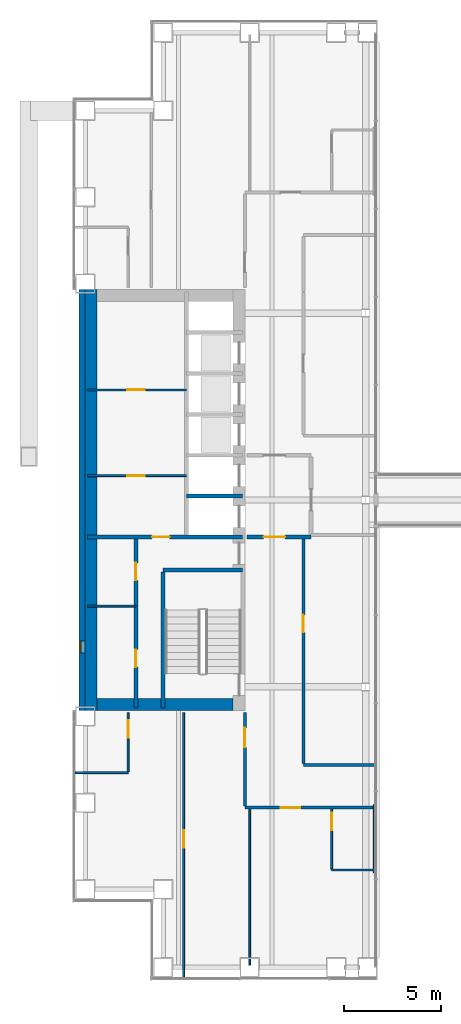
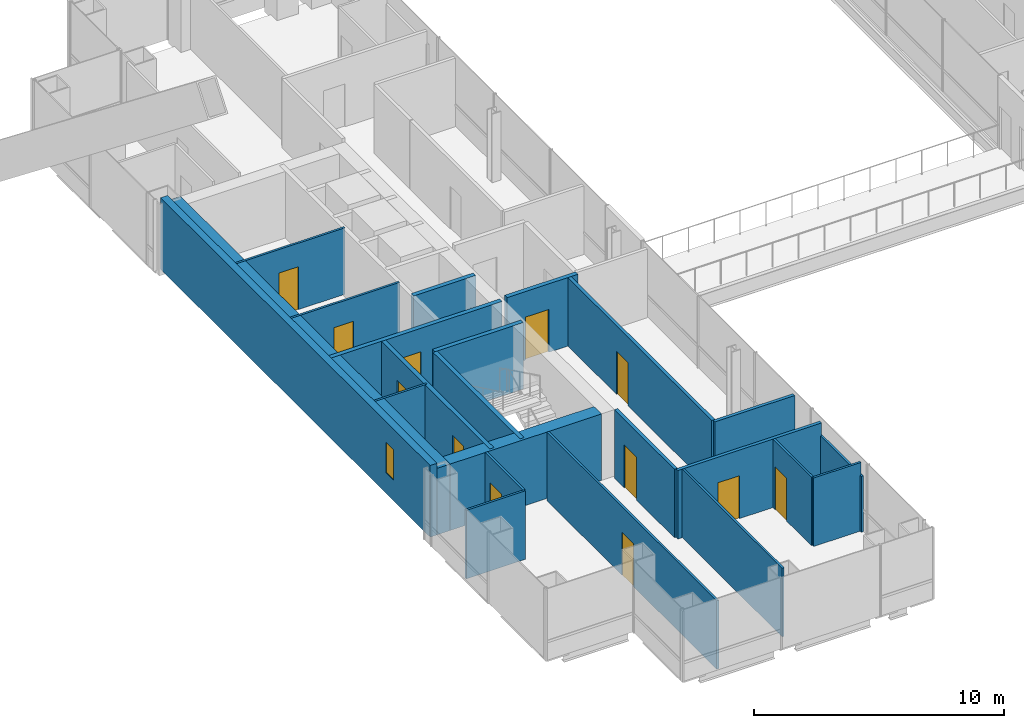
# One storey, part 14 of 19: 23 walls, 12 doors, 1 window, 13 openings.
"""IFC4 building model written with IfcOpenShell, lengths in metres."""

from ifc_helpers import new_model, si_unit, direction, frame, frame_2d, origin, place, context, subcontext, project, spatial, rectangle, extrude, material, layer, layer_set, type_object, element, fill, save


model = new_model("IFC4")

# Units and contexts
model_context = context("Model", 3, precision=1e-05, world=origin(), true_north=direction((0.0, 1.0)))
body_context = subcontext(model_context, "Body", "Model", "MODEL_VIEW")
ifc_project = project(units=[si_unit("LENGTHUNIT", "METRE"), si_unit("AREAUNIT", "SQUARE_METRE"), si_unit("VOLUMEUNIT", "CUBIC_METRE"), si_unit("PLANEANGLEUNIT", "RADIAN"), si_unit("MASSUNIT", "GRAM", prefix="KILO")], contexts=[model_context])

# Site, building, storey
site_placement = place(None, origin())
site = spatial("IfcSite", under=ifc_project, at=site_placement, CompositionType="ELEMENT")
building_placement = place(site_placement, origin())
building = spatial("IfcBuilding", under=site, at=building_placement, Name="Cobrizo Arcos Hotel Tower", CompositionType="ELEMENT")
storey_placement = place(building_placement, frame((0.0, 0.0, 70.5)))
storey = spatial("IfcBuildingStorey", under=building, at=storey_placement, Name="L16", CompositionType="ELEMENT", Elevation=70.5)

# Wall, opening, door
ifc_material_1 = material(Name="Gypsum board partition")
ifc_layer_1 = layer(ifc_material_1, 0.14990234375)
ifc_layer_set_1 = layer_set([ifc_layer_1], Name="Corridor wall EI 60 150")
wall_type_1 = type_object("IfcWallType", Name="Corridor wall EI 60 150", PredefinedType="PARTITIONING", material=ifc_layer_set_1)
wall_1_placement = place(storey_placement, frame((-15.800048828125, -15.800048828125, 0.0), z_axis=(0.0, 0.0, 1.0), x_axis=(1.0, 0.0, 0.0)))
wall_1 = element("IfcWall", 1, at=wall_1_placement, inside=storey, type_object=wall_type_1, Name="Partition 005", PredefinedType="PARTITIONING", context=body_context, shape_type="SweptSolid", body=[
    extrude(rectangle(XDim=6.650146484375, YDim=0.14990234375, at=frame_2d((3.3251953125, 0.0))), origin(), (0.0, 0.0, 1.0), 3.35009765625),
])
opening_1_placement = place(wall_1_placement, frame((1.846923828125, 0.0, 0.0)))
opening_1 = element("IfcOpeningElement", 2, at=opening_1_placement, cuts=wall_1, Name="Opening GD-04", PredefinedType="OPENING", context=body_context, shape_type="SweptSolid", body=[
    extrude(rectangle(XDim=1.0, YDim=2.10009765625, at=frame_2d((0.5, 1.050048828125))), frame((0.0, 0.0869140625, 0.0), z_axis=(0.0, -1.0, 0.0), x_axis=(1.0, 0.0, 0.0)), (0.0, 0.0, 1.0), 0.173828125),
])
ifc_material_2 = material(Name="Timber door leaf", Category="wood")
door_type_1 = type_object("IfcDoorType", Name="Guest room door FD30S 1000x2100", OperationType="SINGLE_SWING_LEFT", PredefinedType="DOOR", material=ifc_material_2)
door_1_placement = place(opening_1_placement, origin())
door_1 = element("IfcDoor", 3, at=door_1_placement, inside=storey, type_object=door_type_1, Name="Door GD-04", OperationType="SINGLE_SWING_LEFT", OverallHeight=2.10009765625, OverallWidth=1.0, PredefinedType="DOOR", context=body_context, shape_type="SweptSolid", body=[
    extrude(rectangle(XDim=1.0, YDim=2.10009765625, at=frame_2d((0.5, 1.050048828125))), frame((0.0, 0.02490234375, 0.0), z_axis=(0.0, -1.0, 0.0), x_axis=(1.0, 0.0, 0.0)), (0.0, 0.0, 1.0), 0.050048828125),
])
fill(opening_1, door_1)

# Wall
wall_2_placement = place(storey_placement, frame((-12.800048828125, -13.60009765625, 0.0), z_axis=(0.0, 0.0, 1.0), x_axis=(1.0, 0.0, 0.0)))
element("IfcWall", 4, at=wall_2_placement, inside=storey, type_object=wall_type_1, Name="Partition 008", PredefinedType="PARTITIONING", context=body_context, shape_type="SweptSolid", body=[
    extrude(rectangle(XDim=3.679931640625, YDim=0.14990234375, at=frame_2d((1.83984375, 0.0))), origin(), (0.0, 0.0, 1.0), 3.35009765625),
])

# Wall, opening, door
wall_3_placement = place(storey_placement, frame((-15.800048828125, -15.72509765625, 0.0), z_axis=(0.0, 0.0, 1.0), x_axis=(0.0, 1.0, 0.0)))
wall_3 = element("IfcWall", 5, at=wall_3_placement, inside=storey, type_object=wall_type_1, Name="Partition 053", PredefinedType="PARTITIONING", context=body_context, shape_type="SweptSolid", body=[
    extrude(rectangle(XDim=4.80517578125, YDim=0.14990234375, at=frame_2d((2.402587890625, 0.0))), origin(), (0.0, 0.0, 1.0), 3.35009765625),
])
opening_2_placement = place(wall_3_placement, frame((3.02490234375, 0.0, 0.0)))
opening_2 = element("IfcOpeningElement", 6, at=opening_2_placement, cuts=wall_3, Name="Opening GD-05", PredefinedType="OPENING", context=body_context, shape_type="SweptSolid", body=[
    extrude(rectangle(XDim=1.0, YDim=2.10009765625, at=frame_2d((0.5, 1.050048828125))), frame((0.0, 0.0869140625, 0.0), z_axis=(0.0, -1.0, 0.0), x_axis=(1.0, 0.0, 0.0)), (0.0, 0.0, 1.0), 0.173828125),
])
door_2_placement = place(opening_2_placement, origin())
door_2 = element("IfcDoor", 7, at=door_2_placement, inside=storey, type_object=door_type_1, Name="Door GD-05", OperationType="SINGLE_SWING_LEFT", OverallHeight=2.10009765625, OverallWidth=1.0, PredefinedType="DOOR", context=body_context, shape_type="SweptSolid", body=[
    extrude(rectangle(XDim=1.0, YDim=2.10009765625, at=frame_2d((0.5, 1.050048828125))), frame((0.0, 0.02490234375, 0.0), z_axis=(0.0, -1.0, 0.0), x_axis=(1.0, 0.0, 0.0)), (0.0, 0.0, 1.0), 0.050048828125),
])
fill(opening_2, door_2)

wall_4_placement = place(storey_placement, frame((-12.800048828125, -13.52490234375, 0.0), z_axis=(0.0, 0.0, 1.0), x_axis=(0.0, 1.0, 0.0)))
wall_4 = element("IfcWall", 8, at=wall_4_placement, inside=storey, type_object=wall_type_1, Name="Partition 057", PredefinedType="PARTITIONING", context=body_context, shape_type="SweptSolid", body=[
    extrude(rectangle(XDim=11.52490234375, YDim=0.14990234375, at=frame_2d((5.762451171875, 0.0))), origin(), (0.0, 0.0, 1.0), 3.35009765625),
])
opening_3_placement = place(wall_4_placement, frame((6.72509765625, 0.0, 0.0)))
opening_3 = element("IfcOpeningElement", 9, at=opening_3_placement, cuts=wall_4, Name="Opening RD-17", PredefinedType="OPENING", context=body_context, shape_type="SweptSolid", body=[
    extrude(rectangle(XDim=0.89990234375, YDim=2.10009765625, at=frame_2d((0.449951171875, 1.050048828125))), frame((0.0, 0.0869140625, 0.0), z_axis=(0.0, -1.0, 0.0), x_axis=(1.0, 0.0, 0.0)), (0.0, 0.0, 1.0), 0.173828125),
])
door_type_2 = type_object("IfcDoorType", Name="Room door FD30 900x2100", OperationType="SINGLE_SWING_LEFT", PredefinedType="DOOR", material=ifc_material_2)
door_3_placement = place(opening_3_placement, origin())
door_3 = element("IfcDoor", 10, at=door_3_placement, inside=storey, type_object=door_type_2, Name="Door RD-17", OperationType="SINGLE_SWING_LEFT", OverallHeight=2.10009765625, OverallWidth=0.89990234375, PredefinedType="DOOR", context=body_context, shape_type="SweptSolid", body=[
    extrude(rectangle(XDim=0.89990234375, YDim=2.10009765625, at=frame_2d((0.449951171875, 1.050048828125))), frame((0.0, 0.02490234375, 0.0), z_axis=(0.0, -1.0, 0.0), x_axis=(1.0, 0.0, 0.0)), (0.0, 0.0, 1.0), 0.050048828125),
])
fill(opening_3, door_3)

# Wall, opening, window
ifc_material_3 = material(Name="Aluminium composite panel pale metal", Category="aluminium")
ifc_layer_2 = layer(ifc_material_3, 0.324951171875)
ifc_layer_set_2 = layer_set([ifc_layer_2], Name="EW-1 insulated panel wall 325")
wall_type_2 = type_object("IfcWallType", Name="EW-1 insulated panel wall 325", PredefinedType="SOLIDWALL", material=ifc_layer_set_2)
wall_5_placement = place(storey_placement, frame((-24.16259765625, 10.800048828125, 0.0), z_axis=(0.0, 0.0, 1.0), x_axis=(0.0, -1.0, 0.0)))
wall_5 = element("IfcWall", 11, at=wall_5_placement, inside=storey, type_object=wall_type_2, Name="Core face wall L16 W", PredefinedType="SOLIDWALL", context=body_context, shape_type="SweptSolid", body=[
    extrude(rectangle(XDim=21.60009765625, YDim=0.324951171875, at=frame_2d((10.800048828125, 0.0))), origin(), (0.0, 0.0, 1.0), 3.5),
])
opening_4_placement = place(wall_5_placement, frame((18.050048828125, 0.0, 1.0)))
opening_4 = element("IfcOpeningElement", 12, at=opening_4_placement, cuts=wall_5, Name="Opening W-28", PredefinedType="OPENING", context=body_context, shape_type="SweptSolid", body=[
    extrude(rectangle(XDim=0.60009765625, YDim=1.5, at=frame_2d((0.300048828125, 0.75))), frame((0.0, 0.174560546875, 0.0), z_axis=(0.0, -1.0, 0.0), x_axis=(1.0, 0.0, 0.0)), (0.0, 0.0, 1.0), 0.348876953125),
])
ifc_material_4 = material(Name="Aluminium 6063-T6 and clear laminated glass", Category="aluminium")
window_type = type_object("IfcWindowType", Name="W-C1 core stair slot window 600x1500", PartitioningType="SINGLE_PANEL", PredefinedType="WINDOW", material=ifc_material_4)
window_placement = place(opening_4_placement, origin())
window = element("IfcWindow", 13, at=window_placement, inside=storey, type_object=window_type, Name="Core face wall L16 W window W-28", OverallHeight=1.5, OverallWidth=0.60009765625, PartitioningType="SINGLE_PANEL", PredefinedType="WINDOW", context=body_context, shape_type="SweptSolid", body=[
    extrude(rectangle(XDim=0.60009765625, YDim=1.5, at=frame_2d((0.300048828125, 0.75))), frame((0.0, -0.072509765625, 0.0), z_axis=(0.0, -1.0, 0.0), x_axis=(1.0, 0.0, 0.0)), (0.0, 0.0, 1.0), 0.06005859375),
])
fill(opening_4, window)

# Walls
ifc_layer_3 = layer(ifc_material_1, 0.10009765625)
ifc_layer_set_3 = layer_set([ifc_layer_3], Name="Partition EI 30 100")
wall_type_3 = type_object("IfcWallType", Name="Partition EI 30 100", PredefinedType="PARTITIONING", material=ifc_layer_set_3)
wall_6_placement = place(storey_placement, frame((-11.35009765625, -19.0, 0.0), z_axis=(0.0, 0.0, 1.0), x_axis=(1.0, 0.0, 0.0)))
element("IfcWall", 14, at=wall_6_placement, inside=storey, type_object=wall_type_3, Name="Partition 002", PredefinedType="PARTITIONING", context=body_context, shape_type="SweptSolid", body=[
    extrude(rectangle(XDim=2.2001953125, YDim=0.10009765625, at=frame_2d((1.10009765625, 0.0))), origin(), (0.0, 0.0, 1.0), 3.35009765625),
])
wall_7_placement = place(storey_placement, frame((-24.530029296875, -14.0, 0.0), z_axis=(0.0, 0.0, 1.0), x_axis=(1.0, 0.0, 0.0)))
element("IfcWall", 15, at=wall_7_placement, inside=storey, type_object=wall_type_3, Name="Partition 007", PredefinedType="PARTITIONING", context=body_context, shape_type="SweptSolid", body=[
    extrude(rectangle(XDim=2.72998046875, YDim=0.10009765625, at=frame_2d((1.364990234375, 0.0))), origin(), (0.0, 0.0, 1.0), 3.35009765625),
])
wall_8_placement = place(storey_placement, frame((-23.8798828125, -5.449951171875, 0.0), z_axis=(0.0, 0.0, 1.0), x_axis=(1.0, 0.0, 0.0)))
element("IfcWall", 16, at=wall_8_placement, inside=storey, type_object=wall_type_3, Name="Partition 010", PredefinedType="PARTITIONING", context=body_context, shape_type="SweptSolid", body=[
    extrude(rectangle(XDim=2.47998046875, YDim=0.10009765625, at=frame_2d((1.239990234375, 0.0))), origin(), (0.0, 0.0, 1.0), 3.25),
])

# Wall, opening, door
wall_9_placement = place(storey_placement, frame((-23.8798828125, 1.25, 0.0), z_axis=(0.0, 0.0, 1.0), x_axis=(1.0, 0.0, 0.0)))
wall_9 = element("IfcWall", 17, at=wall_9_placement, inside=storey, type_object=wall_type_3, Name="Partition 022", PredefinedType="PARTITIONING", context=body_context, shape_type="SweptSolid", body=[
    extrude(rectangle(XDim=5.079833984375, YDim=0.10009765625, at=frame_2d((2.5400390625, 0.0))), origin(), (0.0, 0.0, 1.0), 3.25),
])
opening_5_placement = place(wall_9_placement, frame((2.030029296875, 0.0, 0.0)))
opening_5 = element("IfcOpeningElement", 18, at=opening_5_placement, cuts=wall_9, Name="Opening RD-04", PredefinedType="OPENING", context=body_context, shape_type="SweptSolid", body=[
    extrude(rectangle(XDim=0.89990234375, YDim=2.10009765625, at=frame_2d((0.449951171875, 1.050048828125))), frame((0.0, 0.06201171875, 0.0), z_axis=(0.0, -1.0, 0.0), x_axis=(1.0, 0.0, 0.0)), (0.0, 0.0, 1.0), 0.1240234375),
])
door_4_placement = place(opening_5_placement, origin())
door_4 = element("IfcDoor", 19, at=door_4_placement, inside=storey, type_object=door_type_2, Name="Door RD-04", OperationType="SINGLE_SWING_LEFT", OverallHeight=2.10009765625, OverallWidth=0.89990234375, PredefinedType="DOOR", context=body_context, shape_type="SweptSolid", body=[
    extrude(rectangle(XDim=0.89990234375, YDim=2.10009765625, at=frame_2d((0.449951171875, 1.050048828125))), frame((0.0, 0.02490234375, 0.0), z_axis=(0.0, -1.0, 0.0), x_axis=(1.0, 0.0, 0.0)), (0.0, 0.0, 1.0), 0.050048828125),
])
fill(opening_5, door_4)

wall_10_placement = place(storey_placement, frame((-23.8798828125, 5.64990234375, 0.0), z_axis=(0.0, 0.0, 1.0), x_axis=(1.0, 0.0, 0.0)))
wall_10 = element("IfcWall", 20, at=wall_10_placement, inside=storey, type_object=wall_type_3, Name="Partition 032", PredefinedType="PARTITIONING", context=body_context, shape_type="SweptSolid", body=[
    extrude(rectangle(XDim=5.079833984375, YDim=0.10009765625, at=frame_2d((2.5400390625, 0.0))), origin(), (0.0, 0.0, 1.0), 3.25),
])
opening_6_placement = place(wall_10_placement, frame((2.030029296875, 0.0, 0.0)))
opening_6 = element("IfcOpeningElement", 21, at=opening_6_placement, cuts=wall_10, Name="Opening RD-05", PredefinedType="OPENING", context=body_context, shape_type="SweptSolid", body=[
    extrude(rectangle(XDim=0.89990234375, YDim=2.10009765625, at=frame_2d((0.449951171875, 1.050048828125))), frame((0.0, 0.06201171875, 0.0), z_axis=(0.0, -1.0, 0.0), x_axis=(1.0, 0.0, 0.0)), (0.0, 0.0, 1.0), 0.1240234375),
])
door_5_placement = place(opening_6_placement, origin())
door_5 = element("IfcDoor", 22, at=door_5_placement, inside=storey, type_object=door_type_2, Name="Door RD-05", OperationType="SINGLE_SWING_LEFT", OverallHeight=2.10009765625, OverallWidth=0.89990234375, PredefinedType="DOOR", context=body_context, shape_type="SweptSolid", body=[
    extrude(rectangle(XDim=0.89990234375, YDim=2.10009765625, at=frame_2d((0.449951171875, 1.050048828125))), frame((0.0, 0.02490234375, 0.0), z_axis=(0.0, -1.0, 0.0), x_axis=(1.0, 0.0, 0.0)), (0.0, 0.0, 1.0), 0.050048828125),
])
fill(opening_6, door_5)

wall_11_placement = place(storey_placement, frame((-21.800048828125, -13.949951171875, 0.0), z_axis=(0.0, 0.0, 1.0), x_axis=(0.0, 1.0, 0.0)))
wall_11 = element("IfcWall", 23, at=wall_11_placement, inside=storey, type_object=wall_type_3, Name="Partition 046", PredefinedType="PARTITIONING", context=body_context, shape_type="SweptSolid", body=[
    extrude(rectangle(XDim=3.030029296875, YDim=0.10009765625, at=frame_2d((1.51513671875, 0.0))), origin(), (0.0, 0.0, 1.0), 3.35009765625),
])
opening_7_placement = place(wall_11_placement, frame((1.739990234375, 0.0, 0.0)))
opening_7 = element("IfcOpeningElement", 24, at=opening_7_placement, cuts=wall_11, Name="Opening ED-05", PredefinedType="OPENING", context=body_context, shape_type="SweptSolid", body=[
    extrude(rectangle(XDim=0.89990234375, YDim=2.10009765625, at=frame_2d((0.449951171875, 1.050048828125))), frame((0.0, 0.06201171875, 0.0), z_axis=(0.0, -1.0, 0.0), x_axis=(1.0, 0.0, 0.0)), (0.0, 0.0, 1.0), 0.1240234375),
])
door_type_3 = type_object("IfcDoorType", Name="En-suite door 900x2100", OperationType="SINGLE_SWING_LEFT", PredefinedType="DOOR", material=ifc_material_2)
door_6_placement = place(opening_7_placement, origin())
door_6 = element("IfcDoor", 25, at=door_6_placement, inside=storey, type_object=door_type_3, Name="Door ED-05", OperationType="SINGLE_SWING_LEFT", OverallHeight=2.10009765625, OverallWidth=0.89990234375, PredefinedType="DOOR", context=body_context, shape_type="SweptSolid", body=[
    extrude(rectangle(XDim=0.89990234375, YDim=2.10009765625, at=frame_2d((0.449951171875, 1.050048828125))), frame((0.0, 0.02490234375, 0.0), z_axis=(0.0, -1.0, 0.0), x_axis=(1.0, 0.0, 0.0)), (0.0, 0.0, 1.0), 0.050048828125),
])
fill(opening_7, door_6)

wall_12_placement = place(storey_placement, frame((-18.949951171875, -24.530029296875, 0.0), z_axis=(0.0, 0.0, 1.0), x_axis=(0.0, 1.0, 0.0)))
wall_12 = element("IfcWall", 26, at=wall_12_placement, inside=storey, type_object=wall_type_3, Name="Partition 051", PredefinedType="PARTITIONING", context=body_context, shape_type="SweptSolid", body=[
    extrude(rectangle(XDim=13.610107421875, YDim=0.10009765625, at=frame_2d((6.80517578125, 0.0))), origin(), (0.0, 0.0, 1.0), 3.35009765625),
])
opening_8_placement = place(wall_12_placement, frame((6.679931640625, 0.0, 0.0)))
opening_8 = element("IfcOpeningElement", 27, at=opening_8_placement, cuts=wall_12, Name="Opening RD-11", PredefinedType="OPENING", context=body_context, shape_type="SweptSolid", body=[
    extrude(rectangle(XDim=0.89990234375, YDim=2.10009765625, at=frame_2d((0.449951171875, 1.050048828125))), frame((0.0, 0.06201171875, 0.0), z_axis=(0.0, -1.0, 0.0), x_axis=(1.0, 0.0, 0.0)), (0.0, 0.0, 1.0), 0.1240234375),
])
door_7_placement = place(opening_8_placement, origin())
door_7 = element("IfcDoor", 28, at=door_7_placement, inside=storey, type_object=door_type_2, Name="Door RD-11", OperationType="SINGLE_SWING_LEFT", OverallHeight=2.10009765625, OverallWidth=0.89990234375, PredefinedType="DOOR", context=body_context, shape_type="SweptSolid", body=[
    extrude(rectangle(XDim=0.89990234375, YDim=2.10009765625, at=frame_2d((0.449951171875, 1.050048828125))), frame((0.0, 0.02490234375, 0.0), z_axis=(0.0, -1.0, 0.0), x_axis=(1.0, 0.0, 0.0)), (0.0, 0.0, 1.0), 0.050048828125),
])
fill(opening_8, door_7)

# Wall
wall_13_placement = place(storey_placement, frame((-15.550048828125, -23.8798828125, 0.0), z_axis=(0.0, 0.0, 1.0), x_axis=(0.0, 1.0, 0.0)))
element("IfcWall", 29, at=wall_13_placement, inside=storey, type_object=wall_type_3, Name="Partition 055", PredefinedType="PARTITIONING", context=body_context, shape_type="SweptSolid", body=[
    extrude(rectangle(XDim=8.0048828125, YDim=0.10009765625, at=frame_2d((4.00244140625, 0.0))), origin(), (0.0, 0.0, 1.0), 3.35009765625),
])

# Wall, opening, door
wall_14_placement = place(storey_placement, frame((-11.35009765625, -18.949951171875, 0.0), z_axis=(0.0, 0.0, 1.0), x_axis=(0.0, 1.0, 0.0)))
wall_14 = element("IfcWall", 30, at=wall_14_placement, inside=storey, type_object=wall_type_3, Name="Partition 061", PredefinedType="PARTITIONING", context=body_context, shape_type="SweptSolid", body=[
    extrude(rectangle(XDim=3.074951171875, YDim=0.10009765625, at=frame_2d((1.53759765625, 0.0))), origin(), (0.0, 0.0, 1.0), 3.35009765625),
])
opening_9_placement = place(wall_14_placement, frame((1.99609375, 0.0, 0.0)))
opening_9 = element("IfcOpeningElement", 31, at=opening_9_placement, cuts=wall_14, Name="Opening ED-04", PredefinedType="OPENING", context=body_context, shape_type="SweptSolid", body=[
    extrude(rectangle(XDim=0.89990234375, YDim=2.10009765625, at=frame_2d((0.449951171875, 1.050048828125))), frame((0.0, 0.06201171875, 0.0), z_axis=(0.0, -1.0, 0.0), x_axis=(1.0, 0.0, 0.0)), (0.0, 0.0, 1.0), 0.1240234375),
])
door_8_placement = place(opening_9_placement, origin())
door_8 = element("IfcDoor", 32, at=door_8_placement, inside=storey, type_object=door_type_3, Name="Door ED-04", OperationType="SINGLE_SWING_LEFT", OverallHeight=2.10009765625, OverallWidth=0.89990234375, PredefinedType="DOOR", context=body_context, shape_type="SweptSolid", body=[
    extrude(rectangle(XDim=0.89990234375, YDim=2.10009765625, at=frame_2d((0.449951171875, 1.050048828125))), frame((0.0, 0.02490234375, 0.0), z_axis=(0.0, -1.0, 0.0), x_axis=(1.0, 0.0, 0.0)), (0.0, 0.0, 1.0), 0.050048828125),
])
fill(opening_9, door_8)

# Walls
wall_15_placement = place(storey_placement, frame((-9.14990234375, -19.139892578125, 0.0), z_axis=(0.0, 0.0, 1.0), x_axis=(0.0, 1.0, 0.0)))
element("IfcWall", 33, at=wall_15_placement, inside=storey, type_object=wall_type_3, Name="Partition 063", PredefinedType="PARTITIONING", context=body_context, shape_type="SweptSolid", body=[
    extrude(rectangle(XDim=3.47998046875, YDim=0.10009765625, at=frame_2d((1.739990234375, 0.0))), origin(), (0.0, 0.0, 1.0), 2.73291015625),
])
ifc_material_5 = material(Name="Concrete f'c 60 MPa", Category="concrete")
ifc_layer_4 = layer(ifc_material_5, 0.60009765625)
ifc_layer_set_4 = layer_set([ifc_layer_4], Name="RC core wall 600 f'c 60")
wall_type_4 = type_object("IfcWallType", Name="RC core wall 600 f'c 60", PredefinedType="SHEAR", material=ifc_layer_set_4)
wall_16_placement = place(storey_placement, frame((-23.699951171875, -10.800048828125, 0.0), z_axis=(0.0, 0.0, 1.0), x_axis=(0.0, 1.0, 0.0)))
element("IfcWall", 34, at=wall_16_placement, inside=storey, type_object=wall_type_4, Name="Core wall CW1, west core, outer face, L16", PredefinedType="SHEAR", context=body_context, shape_type="SweptSolid", body=[
    extrude(rectangle(XDim=21.60009765625, YDim=0.60009765625, at=frame_2d((10.800048828125, 0.0))), origin(), (0.0, 0.0, 1.0), 3.25),
])
wall_17_placement = place(storey_placement, frame((-23.39990234375, -10.5, 0.0), z_axis=(0.0, 0.0, 1.0), x_axis=(1.0, 0.0, 0.0)))
element("IfcWall", 35, at=wall_17_placement, inside=storey, type_object=wall_type_4, Name="Core wall CW1, west core, south end, L16", PredefinedType="SHEAR", context=body_context, shape_type="SweptSolid", body=[
    extrude(rectangle(XDim=7.0, YDim=0.60009765625, at=frame_2d((3.5, 0.0))), origin(), (0.0, 0.0, 1.0), 3.25),
])

# Wall, opening, door
ifc_layer_5 = layer(ifc_material_1, 0.199951171875)
ifc_layer_set_5 = layer_set([ifc_layer_5], Name="Shaft wall EI 120 200")
wall_type_5 = type_object("IfcWallType", Name="Shaft wall EI 120 200", PredefinedType="PARTITIONING", material=ifc_layer_set_5)
wall_18_placement = place(storey_placement, frame((-23.8798828125, -1.89990234375, 0.0), z_axis=(0.0, 0.0, 1.0), x_axis=(1.0, 0.0, 0.0)))
wall_18 = element("IfcWall", 36, at=wall_18_placement, inside=storey, type_object=wall_type_5, Name="Partition 014", PredefinedType="PARTITIONING", context=body_context, shape_type="SweptSolid", body=[
    extrude(rectangle(XDim=7.9599609375, YDim=0.199951171875, at=frame_2d((3.97998046875, 0.0))), origin(), (0.0, 0.0, 1.0), 3.25),
])
opening_10_placement = place(wall_18_placement, frame((3.320068359375, 0.0, 0.0)))
opening_10 = element("IfcOpeningElement", 37, at=opening_10_placement, cuts=wall_18, Name="Opening RD-03", PredefinedType="OPENING", context=body_context, shape_type="SweptSolid", body=[
    extrude(rectangle(XDim=0.89990234375, YDim=2.10009765625, at=frame_2d((0.449951171875, 1.050048828125))), frame((0.0, 0.112060546875, 0.0), z_axis=(0.0, -1.0, 0.0), x_axis=(1.0, 0.0, 0.0)), (0.0, 0.0, 1.0), 0.223876953125),
])
door_9_placement = place(opening_10_placement, origin())
door_9 = element("IfcDoor", 38, at=door_9_placement, inside=storey, type_object=door_type_2, Name="Door RD-03", OperationType="SINGLE_SWING_RIGHT", OverallHeight=2.10009765625, OverallWidth=0.89990234375, PredefinedType="DOOR", context=body_context, shape_type="SweptSolid", body=[
    extrude(rectangle(XDim=0.89990234375, YDim=2.10009765625, at=frame_2d((0.449951171875, 1.050048828125))), frame((0.0, 0.02490234375, 0.0), z_axis=(0.0, -1.0, 0.0), x_axis=(1.0, 0.0, 0.0)), (0.0, 0.0, 1.0), 0.050048828125),
])
fill(opening_10, door_9)

wall_19_placement = place(storey_placement, frame((-15.679931640625, -1.89990234375, 0.0), z_axis=(0.0, 0.0, 1.0), x_axis=(1.0, 0.0, 0.0)))
wall_19 = element("IfcWall", 39, at=wall_19_placement, inside=storey, type_object=wall_type_5, Name="Partition 015", PredefinedType="PARTITIONING", context=body_context, shape_type="SweptSolid", body=[
    extrude(rectangle(XDim=3.280029296875, YDim=0.199951171875, at=frame_2d((1.64013671875, 0.0))), origin(), (0.0, 0.0, 1.0), 3.35009765625),
])
opening_11_placement = place(wall_19_placement, frame((0.840087890625, 0.0, 0.0)))
opening_11 = element("IfcOpeningElement", 40, at=opening_11_placement, cuts=wall_19, Name="Opening FD-03", PredefinedType="OPENING", context=body_context, shape_type="SweptSolid", body=[
    extrude(rectangle(XDim=1.10009765625, YDim=2.10009765625, at=frame_2d((0.550048828125, 1.050048828125))), frame((0.0, 0.112060546875, 0.0), z_axis=(0.0, -1.0, 0.0), x_axis=(1.0, 0.0, 0.0)), (0.0, 0.0, 1.0), 0.223876953125),
])
ifc_material_6 = material(Name="Steel door leaf", Category="steel")
door_type_4 = type_object("IfcDoorType", Name="Fire door FD60 1100x2100", OperationType="SINGLE_SWING_LEFT", PredefinedType="DOOR", material=ifc_material_6)
door_10_placement = place(opening_11_placement, origin())
door_10 = element("IfcDoor", 41, at=door_10_placement, inside=storey, type_object=door_type_4, Name="Door FD-03", OperationType="SINGLE_SWING_LEFT", OverallHeight=2.10009765625, OverallWidth=1.10009765625, PredefinedType="DOOR", context=body_context, shape_type="SweptSolid", body=[
    extrude(rectangle(XDim=1.10009765625, YDim=2.10009765625, at=frame_2d((0.550048828125, 1.050048828125))), frame((0.0, 0.02490234375, 0.0), z_axis=(0.0, -1.0, 0.0), x_axis=(1.0, 0.0, 0.0)), (0.0, 0.0, 1.0), 0.050048828125),
])
fill(opening_11, door_10)

# Wall
wall_20_placement = place(storey_placement, frame((-18.800048828125, 0.199951171875, 0.0), z_axis=(0.0, 0.0, 1.0), x_axis=(1.0, 0.0, 0.0)))
element("IfcWall", 42, at=wall_20_placement, inside=storey, type_object=wall_type_5, Name="Partition 020", PredefinedType="PARTITIONING", context=body_context, shape_type="SweptSolid", body=[
    extrude(rectangle(XDim=2.880126953125, YDim=0.199951171875, at=frame_2d((1.43994140625, 0.0))), origin(), (0.0, 0.0, 1.0), 3.25),
])

# Wall, openings, doors
wall_21_placement = place(storey_placement, frame((-21.39990234375, -10.679931640625, 0.0), z_axis=(0.0, 0.0, 1.0), x_axis=(0.0, 1.0, 0.0)))
wall_21 = element("IfcWall", 43, at=wall_21_placement, inside=storey, type_object=wall_type_5, Name="Partition 048", PredefinedType="PARTITIONING", context=body_context, shape_type="SweptSolid", body=[
    extrude(rectangle(XDim=8.679931640625, YDim=0.199951171875, at=frame_2d((4.33984375, 0.0))), origin(), (0.0, 0.0, 1.0), 3.25),
])
opening_12_placement = place(wall_21_placement, frame((2.10009765625, 0.0, 0.0)))
opening_12 = element("IfcOpeningElement", 44, at=opening_12_placement, cuts=wall_21, Name="Opening RD-01", PredefinedType="OPENING", context=body_context, shape_type="SweptSolid", body=[
    extrude(rectangle(XDim=0.89990234375, YDim=2.10009765625, at=frame_2d((0.449951171875, 1.050048828125))), frame((0.0, 0.112060546875, 0.0), z_axis=(0.0, -1.0, 0.0), x_axis=(1.0, 0.0, 0.0)), (0.0, 0.0, 1.0), 0.223876953125),
])
opening_13_placement = place(wall_21_placement, frame((6.550048828125, 0.0, 0.0)))
opening_13 = element("IfcOpeningElement", 45, at=opening_13_placement, cuts=wall_21, Name="Opening RD-02", PredefinedType="OPENING", context=body_context, shape_type="SweptSolid", body=[
    extrude(rectangle(XDim=0.89990234375, YDim=2.10009765625, at=frame_2d((0.449951171875, 1.050048828125))), frame((0.0, 0.112060546875, 0.0), z_axis=(0.0, -1.0, 0.0), x_axis=(1.0, 0.0, 0.0)), (0.0, 0.0, 1.0), 0.223876953125),
])
door_11_placement = place(opening_12_placement, origin())
door_11 = element("IfcDoor", 46, at=door_11_placement, inside=storey, type_object=door_type_2, Name="Door RD-01", OperationType="SINGLE_SWING_RIGHT", OverallHeight=2.10009765625, OverallWidth=0.89990234375, PredefinedType="DOOR", context=body_context, shape_type="SweptSolid", body=[
    extrude(rectangle(XDim=0.89990234375, YDim=2.10009765625, at=frame_2d((0.449951171875, 1.050048828125))), frame((0.0, 0.02490234375, 0.0), z_axis=(0.0, -1.0, 0.0), x_axis=(1.0, 0.0, 0.0)), (0.0, 0.0, 1.0), 0.050048828125),
])
fill(opening_12, door_11)
door_12_placement = place(opening_13_placement, origin())
door_12 = element("IfcDoor", 47, at=door_12_placement, inside=storey, type_object=door_type_2, Name="Door RD-02", OperationType="SINGLE_SWING_LEFT", OverallHeight=2.10009765625, OverallWidth=0.89990234375, PredefinedType="DOOR", context=body_context, shape_type="SweptSolid", body=[
    extrude(rectangle(XDim=0.89990234375, YDim=2.10009765625, at=frame_2d((0.449951171875, 1.050048828125))), frame((0.0, 0.02490234375, 0.0), z_axis=(0.0, -1.0, 0.0), x_axis=(1.0, 0.0, 0.0)), (0.0, 0.0, 1.0), 0.050048828125),
])
fill(opening_13, door_12)

# Walls
ifc_material_7 = material(Name="Concrete f'c 40 MPa", Category="concrete")
ifc_layer_6 = layer(ifc_material_7, 0.199951171875)
ifc_layer_set_6 = layer_set([ifc_layer_6], Name="Stair shaft wall 200")
wall_type_6 = type_object("IfcWallType", Name="Stair shaft wall 200", PredefinedType="SHEAR", material=ifc_layer_set_6)
wall_22_placement = place(storey_placement, frame((-20.0, -3.60009765625, 0.0), z_axis=(0.0, 0.0, 1.0), x_axis=(1.0, 0.0, 0.0)))
element("IfcWall", 48, at=wall_22_placement, inside=storey, type_object=wall_type_6, Name="Stair shaft wall W", PredefinedType="SHEAR", context=body_context, shape_type="SweptSolid", body=[
    extrude(rectangle(XDim=4.080078125, YDim=0.199951171875, at=frame_2d((2.0400390625, 0.0))), origin(), (0.0, 0.0, 1.0), 3.25),
])
wall_23_placement = place(storey_placement, frame((-20.0, -10.679931640625, 0.0), z_axis=(0.0, 0.0, 1.0), x_axis=(0.0, 1.0, 0.0)))
element("IfcWall", 49, at=wall_23_placement, inside=storey, type_object=wall_type_6, Name="Stair shaft wall W", PredefinedType="SHEAR", context=body_context, shape_type="SweptSolid", body=[
    extrude(rectangle(XDim=6.97998046875, YDim=0.199951171875, at=frame_2d((3.489990234375, 0.0))), origin(), (0.0, 0.0, 1.0), 3.25),
])

save(model, "model.ifc")
